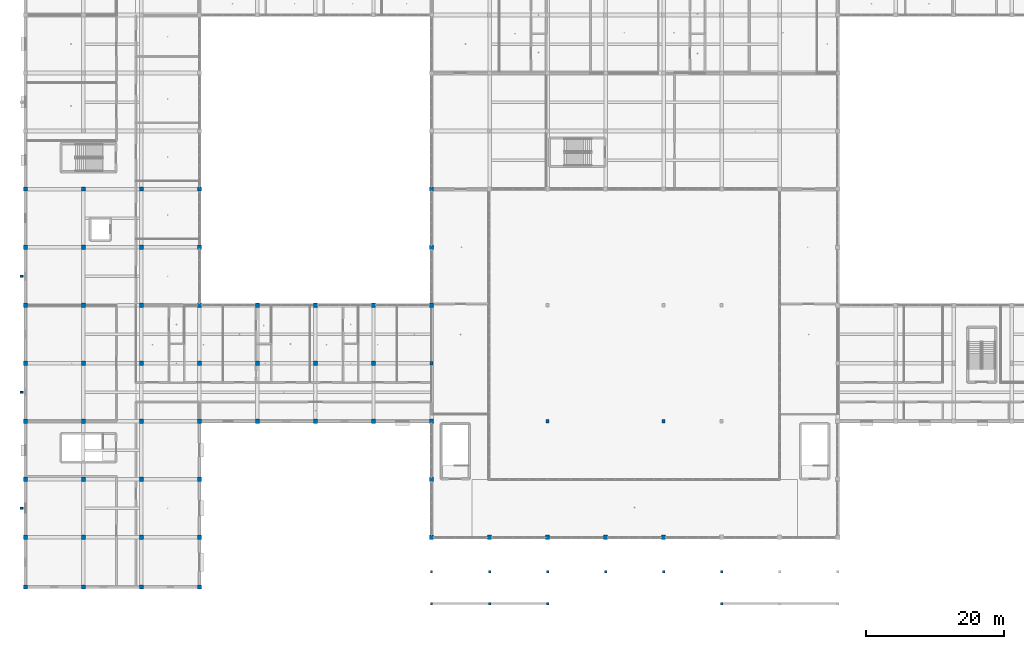
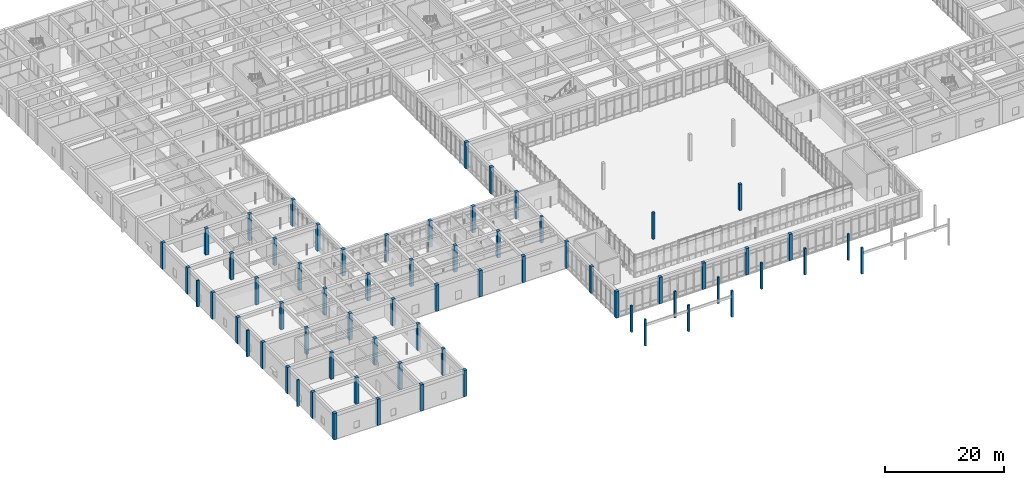
# One storey, part 1 of 157: 67 columns.
"""IFC4 building model written with IfcOpenShell, lengths in metres."""

from ifc_helpers import new_model, si_unit, direction, frame, origin, origin_2d, place, context, subcontext, project, spatial, rectangle, extrude, material, material_profile, profile_set, type_object, element, save


model = new_model("IFC4")

# Units and contexts
model_context = context("Model", 3, precision=1e-05, world=origin(), true_north=direction((0.0, 1.0)))
body_context = subcontext(model_context, "Body", "Model", "MODEL_VIEW")
ifc_project = project(units=[si_unit("LENGTHUNIT", "METRE"), si_unit("AREAUNIT", "SQUARE_METRE"), si_unit("VOLUMEUNIT", "CUBIC_METRE"), si_unit("PLANEANGLEUNIT", "RADIAN"), si_unit("MASSUNIT", "GRAM", prefix="KILO")], contexts=[model_context])

# Site, building, storey
site_placement = place(None, origin())
site = spatial("IfcSite", under=ifc_project, at=site_placement, CompositionType="ELEMENT")
building_placement = place(site_placement, origin())
building = spatial("IfcBuilding", under=site, at=building_placement, Name="Varncliffe General Hospital", CompositionType="ELEMENT")
storey_placement = place(building_placement, frame((0.0, 0.0, 5.39990234375)))
storey = spatial("IfcBuildingStorey", under=building, at=storey_placement, Name="L01", CompositionType="ELEMENT", Elevation=5.39990234375)

# Columns
ifc_material_1 = material(Name="Glulam GL28h (CSA O86 24f-EX, 30 MPa)", Category="wood")
ifc_material_profile_1 = material_profile(ifc_material_1, rectangle(XDim=0.35009765625, YDim=0.35009765625, at=origin_2d()), Name="GL 350x350")
ifc_profile_set_1 = profile_set([ifc_material_profile_1], Name="Glulam GL28h (CSA O86 24f-EX, 30 MPa)")
column_type_1 = type_object("IfcColumnType", Name="Column C12 (Ext GL 350x350)", PredefinedType="COLUMN", material=ifc_profile_set_1)
for number, where, z_axis, x_axis, name in (
    (1, (58.800048828125, -2.39990234375, 0.0), (0.0, 0.0, 1.0), (1.0, 0.0, 0.0), "L01 Column C12"),
    (2, (58.800048828125, 2.199951171875, 0.0), (0.0, 0.0, 1.0), (1.0, 0.0, 0.0), "L01 Column C12"),
    (3, (67.199951171875, -2.39990234375, 0.0), (0.0, 0.0, 1.0), (1.0, 0.0, 0.0), "L01 Column C12"),
    (4, (67.199951171875, 2.199951171875, 0.0), (0.0, 0.0, 1.0), (1.0, 0.0, 0.0), "L01 Column C12"),
    (5, (75.60009765625, -2.39990234375, 0.0), (0.0, 0.0, 1.0), (1.0, 0.0, 0.0), "L01 Column C12"),
    (6, (75.60009765625, 2.199951171875, 0.0), (0.0, 0.0, 1.0), (1.0, 0.0, 0.0), "L01 Column C12"),
    (7, (84.0, 2.199951171875, 0.0), (0.0, 0.0, 1.0), (1.0, 0.0, 0.0), "L01 Column C12"),
    (8, (92.39990234375, 2.199951171875, 0.0), (0.0, 0.0, 1.0), (1.0, 0.0, 0.0), "L01 Column C12"),
    (9, (100.800048828125, -2.39990234375, 0.0), (0.0, 0.0, 1.0), (1.0, 0.0, 0.0), "L01 Column C12"),
    (10, (100.800048828125, 2.199951171875, 0.0), (0.0, 0.0, 1.0), (1.0, 0.0, 0.0), "L01 Column C12"),
):
    element("IfcColumn", number, at=place(storey_placement, frame(where, z_axis=z_axis, x_axis=x_axis)), inside=storey, type_object=column_type_1, Name=name, PredefinedType="COLUMN", context=body_context, shape_type="SweptSolid", body=[
        extrude(rectangle(XDim=0.35009765625, YDim=0.35009765625, at=origin_2d()), origin(), (0.0, 0.0, 1.0), 5.400146484375),
    ])
ifc_material_2 = material(Name="Concrete C40/50 (CSA A23.1 40 MPa)", Category="concrete")
ifc_material_profile_2 = material_profile(ifc_material_2, rectangle(XDim=0.60009765625, YDim=0.60009765625, at=origin_2d()), Name="RC 600x600")
ifc_profile_set_2 = profile_set([ifc_material_profile_2], Name="Concrete C40/50 (CSA A23.1 40 MPa)")
column_type_2 = type_object("IfcColumnType", Name="Column C27 (Ext RC 600x600)", PredefinedType="COLUMN", material=ifc_profile_set_2)
for number, where, z_axis, x_axis, name in (
    (11, (0.0, 0.0, 0.0), (0.0, 0.0, 1.0), (1.0, 0.0, 0.0), "L01 Column C27"),
    (12, (0.0, 7.199951171875, 0.0), (0.0, 0.0, 1.0), (1.0, 0.0, 0.0), "L01 Column C27"),
    (13, (0.0, 15.60009765625, 0.0), (0.0, 0.0, 1.0), (1.0, 0.0, 0.0), "L01 Column C27"),
    (14, (0.0, 24.0, 0.0), (0.0, 0.0, 1.0), (1.0, 0.0, 0.0), "L01 Column C27"),
    (15, (0.0, 32.39990234375, 0.0), (0.0, 0.0, 1.0), (1.0, 0.0, 0.0), "L01 Column C27"),
    (16, (0.0, 40.800048828125, 0.0), (0.0, 0.0, 1.0), (1.0, 0.0, 0.0), "L01 Column C27"),
    (17, (0.0, 49.199951171875, 0.0), (0.0, 0.0, 1.0), (1.0, 0.0, 0.0), "L01 Column C27"),
    (18, (0.0, 57.60009765625, 0.0), (0.0, 0.0, 1.0), (1.0, 0.0, 0.0), "L01 Column C27"),
    (19, (8.39990234375, 0.0, 0.0), (0.0, 0.0, 1.0), (1.0, 0.0, 0.0), "L01 Column C27"),
    (20, (16.800048828125, 0.0, 0.0), (0.0, 0.0, 1.0), (1.0, 0.0, 0.0), "L01 Column C27"),
    (21, (25.199951171875, 0.0, 0.0), (0.0, 0.0, 1.0), (1.0, 0.0, 0.0), "L01 Column C27"),
    (22, (25.199951171875, 7.199951171875, 0.0), (0.0, 0.0, 1.0), (1.0, 0.0, 0.0), "L01 Column C27"),
    (23, (25.199951171875, 15.60009765625, 0.0), (0.0, 0.0, 1.0), (1.0, 0.0, 0.0), "L01 Column C27"),
    (24, (25.199951171875, 24.0, 0.0), (0.0, 0.0, 1.0), (1.0, 0.0, 0.0), "L01 Column C27"),
    (25, (25.199951171875, 40.800048828125, 0.0), (0.0, 0.0, 1.0), (1.0, 0.0, 0.0), "L01 Column C27"),
    (26, (25.199951171875, 49.199951171875, 0.0), (0.0, 0.0, 1.0), (1.0, 0.0, 0.0), "L01 Column C27"),
    (27, (25.199951171875, 57.60009765625, 0.0), (0.0, 0.0, 1.0), (1.0, 0.0, 0.0), "L01 Column C27"),
    (28, (33.60009765625, 24.0, 0.0), (0.0, 0.0, 1.0), (1.0, 0.0, 0.0), "L01 Column C27"),
    (29, (33.60009765625, 40.800048828125, 0.0), (0.0, 0.0, 1.0), (1.0, 0.0, 0.0), "L01 Column C27"),
    (30, (42.0, 24.0, 0.0), (0.0, 0.0, 1.0), (1.0, 0.0, 0.0), "L01 Column C27"),
    (31, (42.0, 40.800048828125, 0.0), (0.0, 0.0, 1.0), (1.0, 0.0, 0.0), "L01 Column C27"),
    (32, (50.39990234375, 24.0, 0.0), (0.0, 0.0, 1.0), (1.0, 0.0, 0.0), "L01 Column C27"),
    (33, (50.39990234375, 40.800048828125, 0.0), (0.0, 0.0, 1.0), (1.0, 0.0, 0.0), "L01 Column C27"),
    (34, (58.800048828125, 7.199951171875, 0.0), (0.0, 0.0, 1.0), (1.0, 0.0, 0.0), "L01 Column C27"),
    (35, (58.800048828125, 15.60009765625, 0.0), (0.0, 0.0, 1.0), (1.0, 0.0, 0.0), "L01 Column C27"),
    (36, (58.800048828125, 24.0, 0.0), (0.0, 0.0, 1.0), (1.0, 0.0, 0.0), "L01 Column C27"),
    (37, (58.800048828125, 40.800048828125, 0.0), (0.0, 0.0, 1.0), (1.0, 0.0, 0.0), "L01 Column C27"),
    (38, (58.800048828125, 49.199951171875, 0.0), (0.0, 0.0, 1.0), (1.0, 0.0, 0.0), "L01 Column C27"),
    (39, (58.800048828125, 57.60009765625, 0.0), (0.0, 0.0, 1.0), (1.0, 0.0, 0.0), "L01 Column C27"),
    (40, (67.199951171875, 7.199951171875, 0.0), (0.0, 0.0, 1.0), (1.0, 0.0, 0.0), "L01 Column C27"),
    (41, (75.60009765625, 7.199951171875, 0.0), (0.0, 0.0, 1.0), (1.0, 0.0, 0.0), "L01 Column C27"),
    (42, (84.0, 7.199951171875, 0.0), (0.0, 0.0, 1.0), (1.0, 0.0, 0.0), "L01 Column C27"),
    (43, (92.39990234375, 7.199951171875, 0.0), (0.0, 0.0, 1.0), (1.0, 0.0, 0.0), "L01 Column C27"),
):
    element("IfcColumn", number, at=place(storey_placement, frame(where, z_axis=z_axis, x_axis=x_axis)), inside=storey, type_object=column_type_2, Name=name, PredefinedType="COLUMN", context=body_context, shape_type="SweptSolid", body=[
        extrude(rectangle(XDim=0.60009765625, YDim=0.60009765625, at=origin_2d()), origin(), (0.0, 0.0, 1.0), 5.400146484375),
    ])
ifc_material_profile_3 = material_profile(ifc_material_1, rectangle(XDim=0.449951171875, YDim=0.449951171875, at=origin_2d()), Name="GL 450x450")
ifc_profile_set_3 = profile_set([ifc_material_profile_3], Name="Glulam GL28h (CSA O86 24f-EX, 30 MPa)")
column_type_3 = type_object("IfcColumnType", Name="Column C36 (Int GL 450x450)", PredefinedType="COLUMN", material=ifc_profile_set_3)
for number, where, z_axis, x_axis, name in (
    (44, (58.800048828125, 32.39990234375, 0.0), (0.0, 0.0, 1.0), (1.0, 0.0, 0.0), "L01 Column C36"),
    (45, (75.60009765625, 24.0, 0.0), (0.0, 0.0, 1.0), (1.0, 0.0, 0.0), "L01 Column C36"),
    (46, (92.39990234375, 24.0, 0.0), (0.0, 0.0, 1.0), (1.0, 0.0, 0.0), "L01 Column C36"),
):
    element("IfcColumn", number, at=place(storey_placement, frame(where, z_axis=z_axis, x_axis=x_axis)), inside=storey, type_object=column_type_3, Name=name, PredefinedType="COLUMN", context=body_context, shape_type="SweptSolid", body=[
        extrude(rectangle(XDim=0.449951171875, YDim=0.449951171875, at=origin_2d()), origin(), (0.0, 0.0, 1.0), 5.400146484375),
    ])
ifc_material_profile_4 = material_profile(ifc_material_2, rectangle(XDim=0.60009765625, YDim=0.60009765625, at=origin_2d()), Name="RC 600x600")
ifc_profile_set_4 = profile_set([ifc_material_profile_4], Name="Concrete C40/50 (CSA A23.1 40 MPa)")
column_type_4 = type_object("IfcColumnType", Name="Column C82 (Int RC 600x600)", PredefinedType="COLUMN", material=ifc_profile_set_4)
for number, where, z_axis, x_axis, name in (
    (47, (8.39990234375, 7.199951171875, 0.0), (0.0, 0.0, 1.0), (1.0, 0.0, 0.0), "L01 Column C82"),
    (48, (8.39990234375, 15.60009765625, 0.0), (0.0, 0.0, 1.0), (1.0, 0.0, 0.0), "L01 Column C82"),
    (49, (8.39990234375, 24.0, 0.0), (0.0, 0.0, 1.0), (1.0, 0.0, 0.0), "L01 Column C82"),
    (50, (8.39990234375, 32.39990234375, 0.0), (0.0, 0.0, 1.0), (1.0, 0.0, 0.0), "L01 Column C82"),
    (51, (8.39990234375, 40.800048828125, 0.0), (0.0, 0.0, 1.0), (1.0, 0.0, 0.0), "L01 Column C82"),
    (52, (8.39990234375, 49.199951171875, 0.0), (0.0, 0.0, 1.0), (1.0, 0.0, 0.0), "L01 Column C82"),
    (53, (8.39990234375, 57.60009765625, 0.0), (0.0, 0.0, 1.0), (1.0, 0.0, 0.0), "L01 Column C82"),
    (54, (16.800048828125, 7.199951171875, 0.0), (0.0, 0.0, 1.0), (1.0, 0.0, 0.0), "L01 Column C82"),
    (55, (16.800048828125, 15.60009765625, 0.0), (0.0, 0.0, 1.0), (1.0, 0.0, 0.0), "L01 Column C82"),
    (56, (16.800048828125, 24.0, 0.0), (0.0, 0.0, 1.0), (1.0, 0.0, 0.0), "L01 Column C82"),
    (57, (16.800048828125, 32.39990234375, 0.0), (0.0, 0.0, 1.0), (1.0, 0.0, 0.0), "L01 Column C82"),
    (58, (16.800048828125, 40.800048828125, 0.0), (0.0, 0.0, 1.0), (1.0, 0.0, 0.0), "L01 Column C82"),
    (59, (16.800048828125, 49.199951171875, 0.0), (0.0, 0.0, 1.0), (1.0, 0.0, 0.0), "L01 Column C82"),
    (60, (16.800048828125, 57.60009765625, 0.0), (0.0, 0.0, 1.0), (1.0, 0.0, 0.0), "L01 Column C82"),
    (61, (25.199951171875, 32.39990234375, 0.0), (0.0, 0.0, 1.0), (1.0, 0.0, 0.0), "L01 Column C82"),
    (62, (33.60009765625, 32.39990234375, 0.0), (0.0, 0.0, 1.0), (1.0, 0.0, 0.0), "L01 Column C82"),
    (63, (42.0, 32.39990234375, 0.0), (0.0, 0.0, 1.0), (1.0, 0.0, 0.0), "L01 Column C82"),
    (64, (50.39990234375, 32.39990234375, 0.0), (0.0, 0.0, 1.0), (1.0, 0.0, 0.0), "L01 Column C82"),
):
    element("IfcColumn", number, at=place(storey_placement, frame(where, z_axis=z_axis, x_axis=x_axis)), inside=storey, type_object=column_type_4, Name=name, PredefinedType="COLUMN", context=body_context, shape_type="SweptSolid", body=[
        extrude(rectangle(XDim=0.60009765625, YDim=0.60009765625, at=origin_2d()), origin(), (0.0, 0.0, 1.0), 5.400146484375),
    ])
ifc_material_3 = material(Name="Precast concrete C40/50", Category="concrete")
ifc_material_profile_5 = material_profile(ifc_material_3, rectangle(XDim=0.449951171875, YDim=0.280029296875, at=origin_2d()), Name="PIL 450x280")
ifc_profile_set_5 = profile_set([ifc_material_profile_5], Name="Precast concrete C40/50")
column_type_5 = type_object("IfcColumnType", Name="Pilaster PL64 (PIL 450x280)", PredefinedType="PILASTER", material=ifc_profile_set_5)
for number, where, z_axis, x_axis, name in (
    (65, (-0.550048828125, 11.39990234375, 0.0), (0.0, 0.0, 1.0), (1.0, 0.0, 0.0), "L01 Facade Pilaster PL64-4"),
    (66, (-0.550048828125, 28.199951171875, 0.0), (0.0, 0.0, 1.0), (1.0, 0.0, 0.0), "L01 Facade Pilaster PL64-5"),
    (67, (-0.550048828125, 45.0, 0.0), (0.0, 0.0, 1.0), (1.0, 0.0, 0.0), "L01 Facade Pilaster PL64-6"),
):
    element("IfcColumn", number, at=place(storey_placement, frame(where, z_axis=z_axis, x_axis=x_axis)), inside=storey, type_object=column_type_5, Name=name, PredefinedType="PILASTER", context=body_context, shape_type="SweptSolid", body=[
        extrude(rectangle(XDim=0.449951171875, YDim=0.280029296875, at=origin_2d()), origin(), (0.0, 0.0, 1.0), 5.400146484375),
    ])

save(model, "model.ifc")
